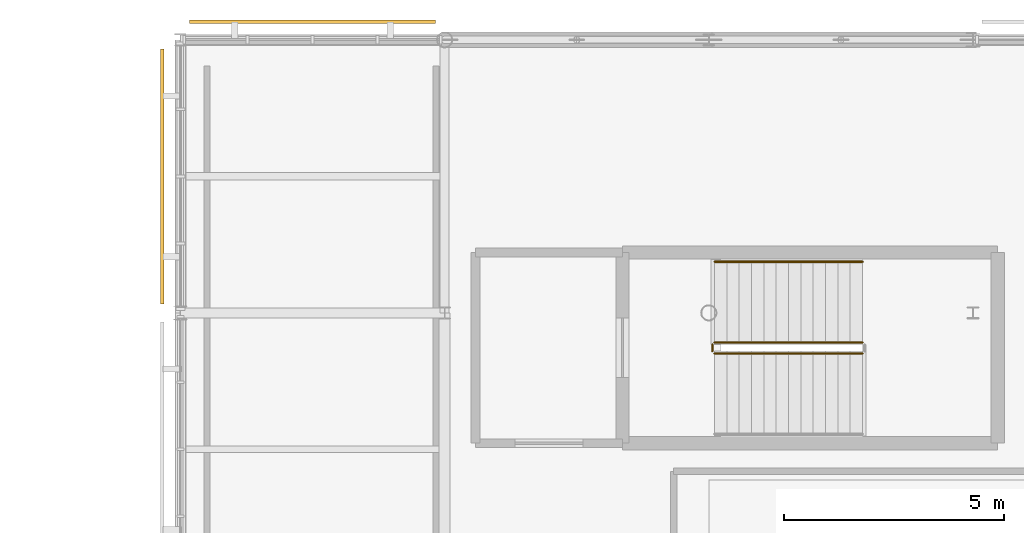
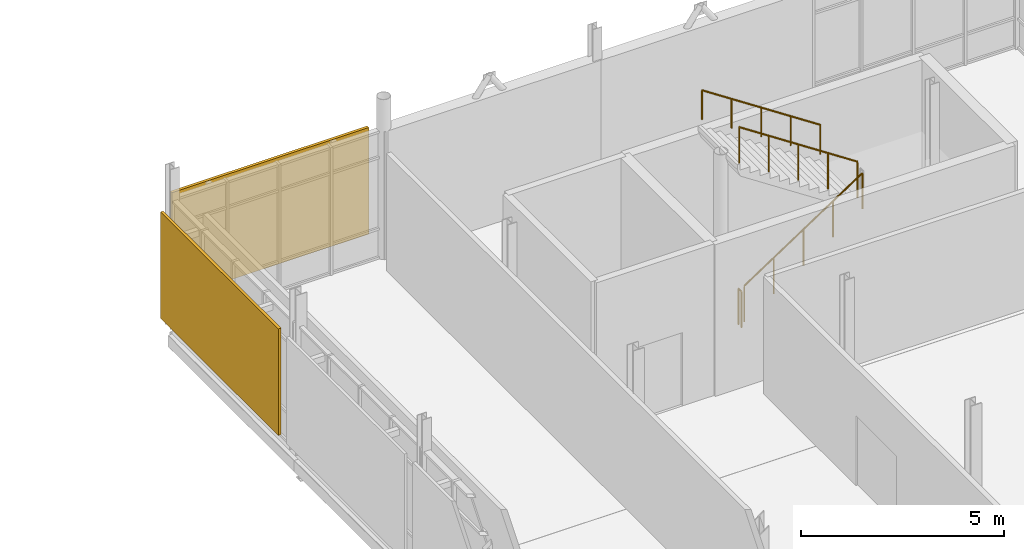
# One storey, part 80 of 84: 4 railings, 2 shading devices.
"""IFC4 building model written with IfcOpenShell, lengths in metres."""

from ifc_helpers import new_model, si_unit, direction, frame, origin, origin_2d, place, context, subcontext, project, spatial, rectangle, circle, extrude, material, layer, layer_set, type_object, element, save


model = new_model("IFC4")

# Units and contexts
model_context = context("Model", 3, precision=1e-05, world=origin(), true_north=direction((0.0, 1.0)))
body_context = subcontext(model_context, "Body", "Model", "MODEL_VIEW")
ifc_project = project(units=[si_unit("LENGTHUNIT", "METRE"), si_unit("AREAUNIT", "SQUARE_METRE"), si_unit("VOLUMEUNIT", "CUBIC_METRE"), si_unit("PLANEANGLEUNIT", "RADIAN"), si_unit("MASSUNIT", "GRAM", prefix="KILO")], contexts=[model_context])

# Site, building, storey
site_placement = place(None, origin())
site = spatial("IfcSite", under=ifc_project, at=site_placement, CompositionType="ELEMENT")
building_placement = place(site_placement, origin())
building = spatial("IfcBuilding", under=site, at=building_placement, Name="Mirzam Square Science Centre", CompositionType="ELEMENT")
storey_placement = place(building_placement, frame((0.0, 0.0, 10.800048828125)))
storey = spatial("IfcBuildingStorey", under=building, at=storey_placement, Name="L02", CompositionType="ELEMENT", Elevation=10.800048828125)

# Railings
ifc_material_1 = material(Name="Bronze-Anodised Architectural Balustrade", Category="aluminium")
railing_type_1 = type_object("IfcRailingType", Name="RL-INT-GUARD-1100", PredefinedType="GUARDRAIL", material=ifc_material_1)
railing_1_placement = place(storey_placement, frame((126.1298828125, 104.47998046875, 0.1845703125)))
element("IfcRailing", 1, at=railing_1_placement, inside=storey, type_object=railing_type_1, Name="L02 ST-11 stair guard 1", PredefinedType="GUARDRAIL", context=body_context, shape_type="SweptSolid", body=[
    extrude(circle(Radius=0.02392578125, at=origin_2d()), frame((0.0, 0.0, 1.076171875), z_axis=(0.834876476806, 0.0, 0.550437342915), x_axis=(0.0, 1.0, 0.0)), (0.0, 0.0, 1.0), 4.024658203125),
    extrude(circle(Radius=0.02099609375, at=origin_2d()), origin(), (0.0, 0.0, 1.0), 1.052001953125),
    extrude(circle(Radius=0.02099609375, at=origin_2d()), frame((0.840087890625, 0.0, 0.5537109375)), (0.0, 0.0, 1.0), 1.052001953125),
    extrude(circle(Radius=0.02099609375, at=origin_2d()), frame((1.68017578125, 0.0, 1.107666015625)), (0.0, 0.0, 1.0), 1.052001953125),
    extrude(circle(Radius=0.02099609375, at=origin_2d()), frame((2.52001953125, 0.0, 1.66162109375)), (0.0, 0.0, 1.0), 1.052001953125),
    extrude(circle(Radius=0.02099609375, at=origin_2d()), frame((3.360107421875, 0.0, 2.21533203125)), (0.0, 0.0, 1.0), 1.052001953125),
])
railing_2_placement = place(storey_placement, frame((129.489990234375, 104.72998046875, 2.58447265625)))
element("IfcRailing", 2, at=railing_2_placement, inside=storey, type_object=railing_type_1, Name="L02 ST-11 stair guard 3", PredefinedType="GUARDRAIL", context=body_context, shape_type="SweptSolid", body=[
    extrude(circle(Radius=0.02392578125, at=origin_2d()), frame((0.0, 0.0, 1.076171875), z_axis=(-0.834848600103, 0.0, 0.550479622607), x_axis=(0.0, -1.0, 0.0)), (0.0, 0.0, 1.0), 4.02490234375),
    extrude(circle(Radius=0.02099609375, at=origin_2d()), origin(), (0.0, 0.0, 1.0), 1.052001953125),
    extrude(circle(Radius=0.02099609375, at=origin_2d()), frame((-0.840087890625, 0.0, 0.553955078125)), (0.0, 0.0, 1.0), 1.052001953125),
    extrude(circle(Radius=0.02099609375, at=origin_2d()), frame((-1.68017578125, 0.0, 1.10791015625)), (0.0, 0.0, 1.0), 1.052001953125),
    extrude(circle(Radius=0.02099609375, at=origin_2d()), frame((-2.52001953125, 0.0, 1.66162109375)), (0.0, 0.0, 1.0), 1.052001953125),
    extrude(circle(Radius=0.02099609375, at=origin_2d()), frame((-3.360107421875, 0.0, 2.215576171875)), (0.0, 0.0, 1.0), 1.052001953125),
])
railing_3_placement = place(storey_placement, frame((126.080078125, 104.530029296875, 0.0)))
element("IfcRailing", 3, at=railing_3_placement, inside=storey, type_object=railing_type_1, Name="L02 ST-11 stair guard 4", PredefinedType="GUARDRAIL", context=body_context, shape_type="SweptSolid", body=[
    extrude(circle(Radius=0.02392578125, at=origin_2d()), frame((0.0, 0.0, 1.076171875), z_axis=(0.0, 1.0, 0.0), x_axis=(-1.0, 0.0, 0.0)), (0.0, 0.0, 1.0), 0.14990234375),
    extrude(circle(Radius=0.02099609375, at=origin_2d()), origin(), (0.0, 0.0, 1.0), 1.052001953125),
    extrude(circle(Radius=0.02099609375, at=origin_2d()), frame((0.0, 0.14990234375, 0.0)), (0.0, 0.0, 1.0), 1.052001953125),
])
ifc_material_2 = material(Name="Brushed Bronze Tubular Handrail", Category="aluminium")
railing_type_2 = type_object("IfcRailingType", Name="RL-STAIR-HANDRAIL-900", PredefinedType="HANDRAIL", material=ifc_material_2)
railing_4_placement = place(storey_placement, frame((129.489990234375, 106.56005859375, 2.78125)))
element("IfcRailing", 4, at=railing_4_placement, inside=storey, type_object=railing_type_2, Name="L02 ST-11 stair handrail 2", PredefinedType="HANDRAIL", context=body_context, shape_type="SweptSolid", body=[
    extrude(circle(Radius=0.02392578125, at=origin_2d()), frame((0.0, 0.0, 0.8759765625), z_axis=(-0.834876476806, 0.0, 0.550437342915), x_axis=(0.0, -1.0, 0.0)), (0.0, 0.0, 1.0), 4.024658203125),
    extrude(circle(Radius=0.02099609375, at=origin_2d()), origin(), (0.0, 0.0, 1.0), 0.851806640625),
    extrude(circle(Radius=0.02099609375, at=origin_2d()), frame((-0.840087890625, 0.0, 0.5537109375)), (0.0, 0.0, 1.0), 0.851806640625),
    extrude(circle(Radius=0.02099609375, at=origin_2d()), frame((-1.68017578125, 0.0, 1.107666015625)), (0.0, 0.0, 1.0), 0.851806640625),
    extrude(circle(Radius=0.02099609375, at=origin_2d()), frame((-2.52001953125, 0.0, 1.66162109375)), (0.0, 0.0, 1.0), 0.851806640625),
    extrude(circle(Radius=0.02099609375, at=origin_2d()), frame((-3.360107421875, 0.0, 2.21533203125)), (0.0, 0.0, 1.0), 0.851806640625),
])

# Shading devices
ifc_material_3 = material(Name="Perforated Bronze-Anodised Aluminium Brise-Soleil", Category="aluminium")
ifc_layer = layer(ifc_material_3, 0.080078125)
ifc_layer_set = layer_set([ifc_layer], Name="SHD-BRISE-BRONZE")
shading_device_type = type_object("IfcShadingDeviceType", Name="SHD-BRISE-BRONZE", PredefinedType="JALOUSIE", material=ifc_layer_set)
shading_device_1_placement = place(storey_placement, frame((117.0, 112.010009765625, 0.48974609375), z_axis=(0.0, 0.0, 1.0), x_axis=(-1.0, 0.0, 0.0)))
element("IfcShadingDevice", 5, at=shading_device_1_placement, inside=storey, type_object=shading_device_type, Name="L02 bronze brise-soleil screen 103", PredefinedType="JALOUSIE", context=body_context, shape_type="SweptSolid", body=[
    extrude(rectangle(XDim=5.590087890625, YDim=0.080078125, at=origin_2d()), origin(), (0.0, 0.0, 1.0), 3.199951171875),
])
shading_device_2_placement = place(storey_placement, frame((113.590087890625, 108.5, 0.48974609375), z_axis=(0.0, 0.0, 1.0), x_axis=(0.0, -1.0, 0.0)))
element("IfcShadingDevice", 6, at=shading_device_2_placement, inside=storey, type_object=shading_device_type, Name="L02 bronze brise-soleil screen 111", PredefinedType="JALOUSIE", context=body_context, shape_type="SweptSolid", body=[
    extrude(rectangle(XDim=5.7900390625, YDim=0.080078125, at=origin_2d()), origin(), (0.0, 0.0, 1.0), 3.199951171875),
])

save(model, "model.ifc")
